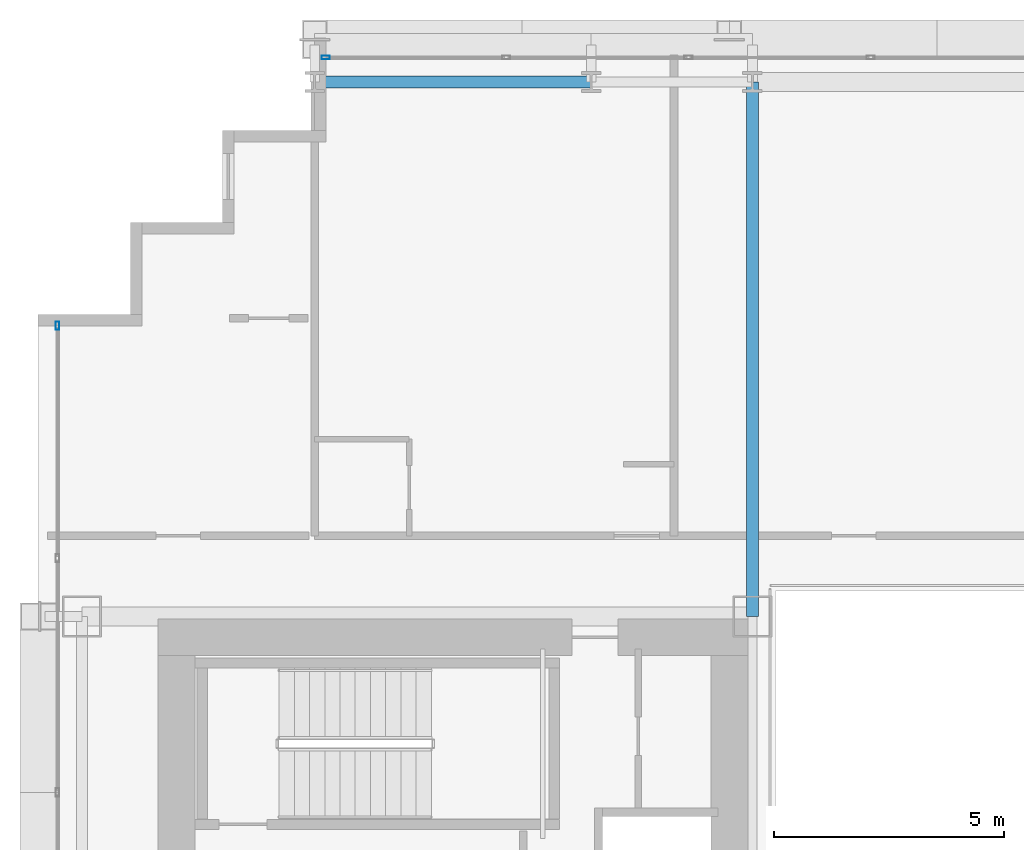
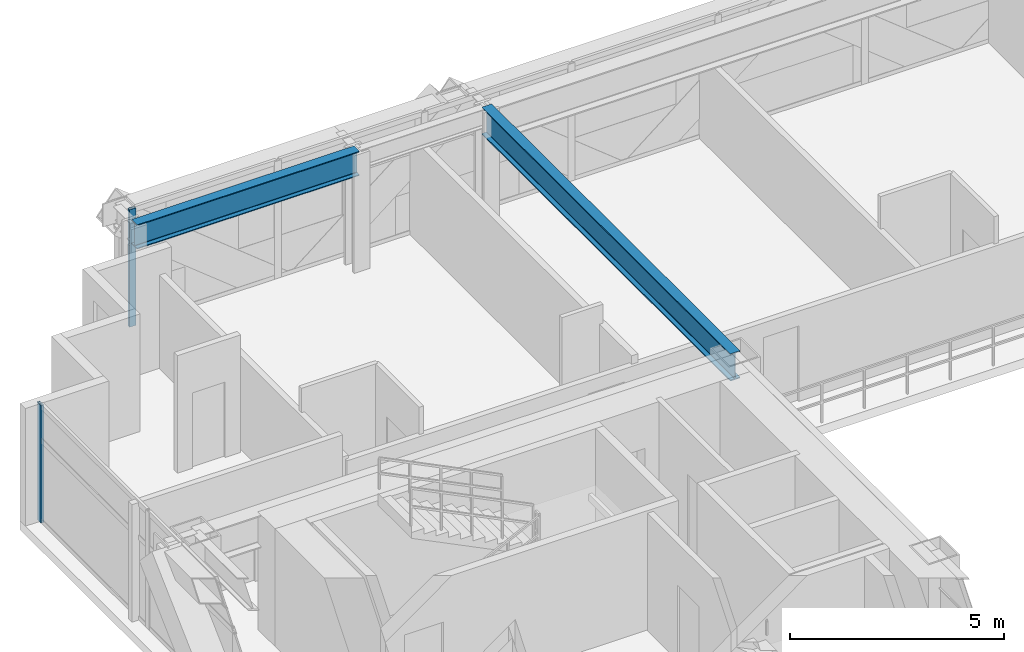
# One storey, part 17 of 38: 2 beams, 2 members, 2 elements without a shape of their own.
"""IFC4 building model written with IfcOpenShell, lengths in metres."""

from ifc_helpers import new_model, si_unit, direction, frame, origin, origin_2d, place, context, subcontext, project, spatial, hollow_rectangle, i_section, extrude, source, transform, mapped, material, layer, layer_set, material_profile, profile_set, type_object, element, aggregate, save


model = new_model("IFC4")

# Units and contexts
model_context = context("Model", 3, precision=1e-05, world=origin(), true_north=direction((0.0, 1.0)))
body_context = subcontext(model_context, "Body", "Model", "MODEL_VIEW")
ifc_project = project(units=[si_unit("LENGTHUNIT", "METRE"), si_unit("AREAUNIT", "SQUARE_METRE"), si_unit("VOLUMEUNIT", "CUBIC_METRE"), si_unit("PLANEANGLEUNIT", "RADIAN"), si_unit("MASSUNIT", "GRAM", prefix="KILO")], contexts=[model_context])

# Site, building, storey
site_placement = place(None, origin())
site = spatial("IfcSite", under=ifc_project, at=site_placement, CompositionType="ELEMENT")
building_placement = place(site_placement, origin())
building = spatial("IfcBuilding", under=site, at=building_placement, Name="Ocotamira Hotel", CompositionType="ELEMENT")
storey_placement = place(building_placement, frame((0.0, 0.0, 60.0)))
storey = spatial("IfcBuildingStorey", under=building, at=storey_placement, Name="L14", CompositionType="ELEMENT", Elevation=60.0)

# Beams
ifc_material_1 = material(Name="Steel ASTM A992 Grade 50", Category="steel")
ifc_material_profile_1 = material_profile(ifc_material_1, i_section(OverallWidth=0.256103515625, OverallDepth=0.693115234375, WebThickness=0.014404296875, FlangeThickness=0.023681640625, FilletRadius=0.01611328125, at=origin_2d()), Name="W27X114")
ifc_profile_set_1 = profile_set([ifc_material_profile_1], Name="Steel ASTM A992 Grade 50")
beam_type_1 = type_object("IfcBeamType", Name="BM-PRIM-W27X114", PredefinedType="BEAM", material=ifc_profile_set_1)
shared_shape_1 = source(origin(), body_context, "Body", "SweptSolid", [
    extrude(i_section(OverallWidth=0.256103515625, OverallDepth=0.693115234375, WebThickness=0.014404296875, FlangeThickness=0.023681640625, FilletRadius=0.01611328125, at=origin_2d()), origin(), (0.0, 0.0, 1.0), 6.0),
])
beam_1_placement = place(storey_placement, frame((14.0, 49.050048828125, 3.00341796875), z_axis=(1.0, 0.0, 0.0), x_axis=(0.0, 1.0, 0.0)))
element("IfcBeam", 1, at=beam_1_placement, inside=storey, type_object=beam_type_1, Name="L14 Girder Y49.05 X14-20", PredefinedType="BEAM", context=body_context, shape_type="MappedRepresentation", body=[
    mapped(shared_shape_1, transform((0.0, 0.0, 0.0), scale=1.0)),
])
ifc_material_profile_2 = material_profile(ifc_material_1, i_section(OverallWidth=0.26611328125, OverallDepth=0.779052734375, WebThickness=0.0166015625, FlangeThickness=0.030029296875, FilletRadius=0.01806640625, at=origin_2d()), Name="W30X148")
ifc_profile_set_2 = profile_set([ifc_material_profile_2], Name="Steel ASTM A992 Grade 50")
beam_type_2 = type_object("IfcBeamType", Name="BM-GIRD-W30X148", PredefinedType="BEAM", material=ifc_profile_set_2)
shared_shape_2 = source(origin(), body_context, "Body", "SweptSolid", [
    extrude(i_section(OverallWidth=0.26611328125, OverallDepth=0.779052734375, WebThickness=0.0166015625, FlangeThickness=0.030029296875, FilletRadius=0.01806640625, at=origin_2d()), origin(), (0.0, 0.0, 1.0), 11.60009765625),
])
beam_2_placement = place(storey_placement, frame((23.5, 37.449951171875, 2.96044921875), z_axis=(0.0, 1.0, 0.0), x_axis=(-1.0, 0.0, 0.0)))
element("IfcBeam", 2, at=beam_2_placement, inside=storey, type_object=beam_type_2, Name="L14 Beam X23.5 Y37.45-49.05", PredefinedType="BEAM", context=body_context, shape_type="MappedRepresentation", body=[
    mapped(shared_shape_2, transform((0.0, 0.0, 0.0), scale=1.0)),
])

# Curtain wall, member
ifc_material_2 = material(Name="Anodised pale-metal aluminium and solar glass", Category="aluminium")
ifc_layer = layer(ifc_material_2, 0.179931640625)
ifc_layer_set = layer_set([ifc_layer], Name="Anodised pale-metal aluminium and solar glass")
curtain_wall_type = type_object("IfcCurtainWallType", Name="CW-SYS2-Z1", PredefinedType="NOTDEFINED", material=ifc_layer_set)
curtain_wall_1_placement = place(storey_placement, origin())
curtain_wall_1 = element("IfcCurtainWall", 3, at=curtain_wall_1_placement, inside=storey, type_object=curtain_wall_type, Name="L14 Curtain Wall CW-2 CW-L14-N", PredefinedType="NOTDEFINED")
ifc_material_3 = material(Name="Anodised pale-metal aluminium 6063-T6", Category="aluminium")
ifc_material_profile_3 = material_profile(ifc_material_3, hollow_rectangle(XDim=0.080078125, YDim=0.179931640625, WallThickness=0.006103515625, at=origin_2d()), Name="HSS180X80X6")
ifc_profile_set_3 = profile_set([ifc_material_profile_3], Name="Anodised pale-metal aluminium 6063-T6")
member_type = type_object("IfcMemberType", Name="CWM-180X75", PredefinedType="MULLION", material=ifc_profile_set_3)
shared_shape_3 = source(origin(), body_context, "Body", "SweptSolid", [
    extrude(hollow_rectangle(XDim=0.080078125, YDim=0.179931640625, WallThickness=0.006103515625, at=origin_2d()), origin(), (0.0, 0.0, 1.0), 3.35009765625),
])
member_1_placement = place(storey_placement, frame((14.239990234375, 49.580078125, 0.0), z_axis=(0.0, 0.0, 1.0), x_axis=(0.0, 1.0, 0.0)))
member_1 = element("IfcMember", 4, at=member_1_placement, type_object=member_type, Name="CW-2 mullion 1", PredefinedType="MULLION", context=body_context, shape_type="MappedRepresentation", body=[
    mapped(shared_shape_3, transform((0.0, 0.0, 0.0), scale=1.0)),
])
aggregate(curtain_wall_1, [member_1])

curtain_wall_2_placement = place(storey_placement, origin())
curtain_wall_2 = element("IfcCurtainWall", 5, at=curtain_wall_2_placement, inside=storey, type_object=curtain_wall_type, Name="L14 Curtain Wall CW-2 CW-L14-W", PredefinedType="NOTDEFINED")
member_2_placement = place(storey_placement, frame((8.419921875, 43.760009765625, 0.0), z_axis=(0.0, 0.0, 1.0), x_axis=(-1.0, 0.0, 0.0)))
member_2 = element("IfcMember", 6, at=member_2_placement, type_object=member_type, Name="CW-2 mullion 8", PredefinedType="MULLION", context=body_context, shape_type="MappedRepresentation", body=[
    mapped(shared_shape_3, transform((0.0, 0.0, 0.0), scale=1.0)),
])
aggregate(curtain_wall_2, [member_2])

save(model, "model.ifc")
